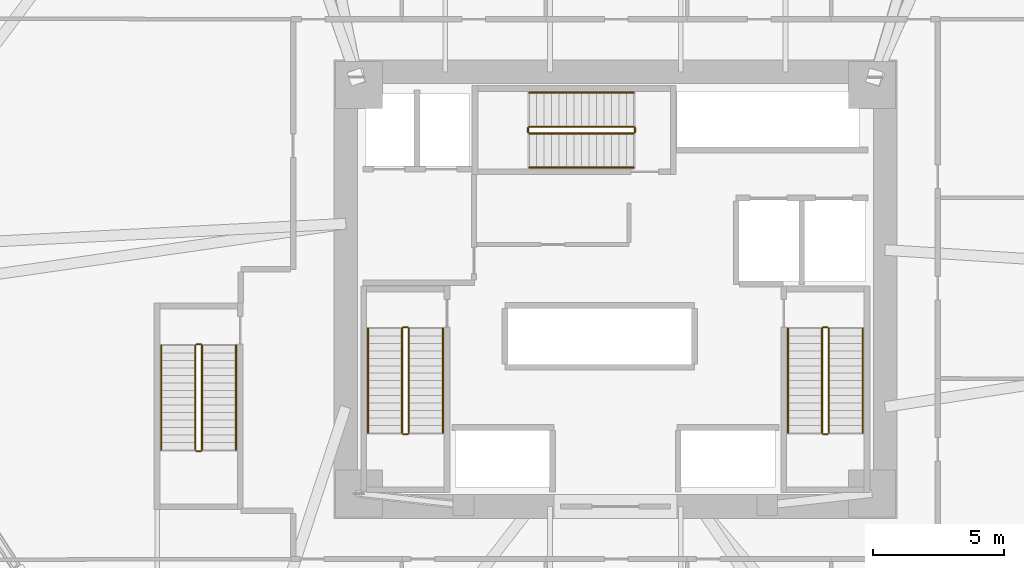
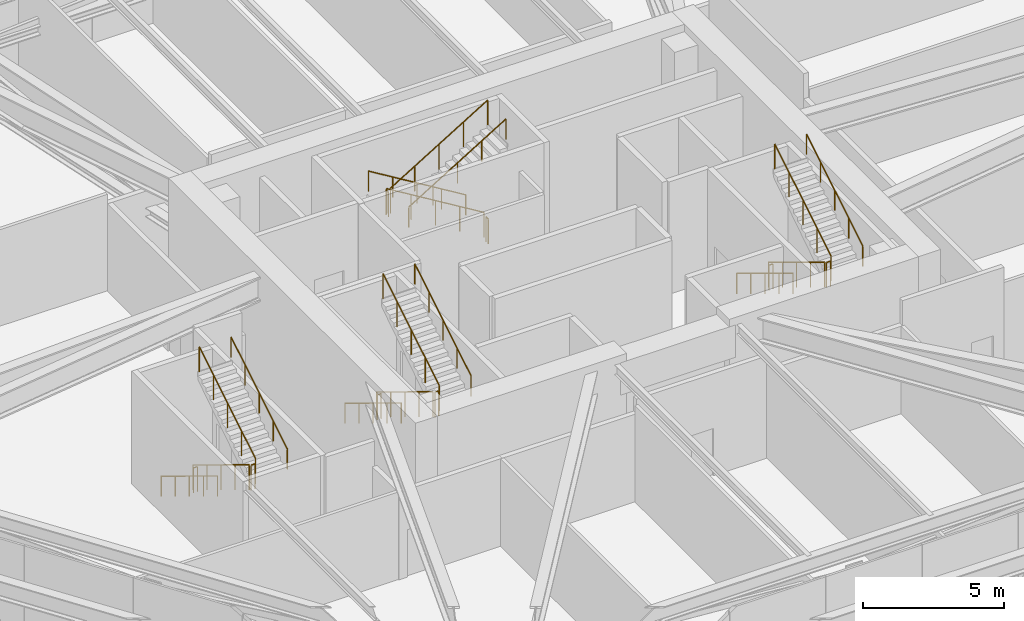
# One storey, part 16 of 16: 24 railings.
"""IFC4 building model written with IfcOpenShell, lengths in metres."""

import ifcopenshell
import ifcopenshell.guid

model = None  # the IFC model being written
_history = None  # IfcOwnerHistory: only IFC2X3 demands one
_inside = {}  # id of a spatial element -> (the spatial element, [elements in it])
_under = {}  # id of a project, library or spatial element -> (it, [spatial elements below it])
_declared = {}  # id of a project -> (the project, [libraries it declares])
_typed = {}  # id of a type object -> (the type object, [elements of that type])
_made_of = {}  # id of a material, layer set ... -> (it, [elements and type objects made of it])


def new_model(schema):
    """Start an empty IFC model of exactly this schema.

    Asked for "IFC4X3", IfcOpenShell would pick the latest addendum, in which some entities
    have other attributes; the version numbers below select the first issue.
    IFC2X3 requires an IfcOwnerHistory on every rooted entity: one is made here for all.
    """
    global model, _history
    if schema == "IFC4X3":
        model = ifcopenshell.file(schema_version=(4, 3, 0, 0))
    else:
        model = ifcopenshell.file(schema=schema)
    _inside.clear()
    _under.clear()
    _declared.clear()
    _typed.clear()
    _made_of.clear()
    _history = None
    if model.schema == "IFC2X3":
        org = make("IfcOrganization", Name="unknown")
        user = make(
            "IfcPersonAndOrganization",
            ThePerson=make("IfcPerson", FamilyName="unknown"),
            TheOrganization=org,
        )
        app = make(
            "IfcApplication",
            ApplicationDeveloper=org,
            Version="unknown",
            ApplicationFullName="unknown",
            ApplicationIdentifier="unknown",
        )
        _history = make(
            "IfcOwnerHistory",
            OwningUser=user,
            OwningApplication=app,
            ChangeAction="ADDED",
            CreationDate=0,
        )
    return model


def make(cls, **values):
    """One entity of the class cls with the attributes given. An attribute that is None is left unset."""
    return model.create_entity(
        cls, **{name: value for name, value in values.items() if value is not None}
    )


def rooted(cls, **values):
    """An entity with a GlobalId (a new one), such as an element, a storey or a relation."""
    return make(cls, GlobalId=ifcopenshell.guid.new(), OwnerHistory=_history, **values)


def si_unit(unit_type, name, prefix=None):
    """IfcSIUnit, for example si_unit("LENGTHUNIT", "METRE", prefix="MILLI")."""
    return make("IfcSIUnit", UnitType=unit_type, Prefix=prefix, Name=name)


def assignment(units):
    """IfcUnitAssignment: the units of a project."""
    return None if units is None else make("IfcUnitAssignment", Units=units)


def point(xyz):
    """IfcCartesianPoint."""
    return None if xyz is None else make("IfcCartesianPoint", Coordinates=xyz)


def direction(xyz):
    """IfcDirection."""
    return None if xyz is None else make("IfcDirection", DirectionRatios=xyz)


def frame(location, z_axis=None, x_axis=None):
    """IfcAxis2Placement3D, a coordinate frame: its origin and axes. An axis left out is left unset."""
    return make(
        "IfcAxis2Placement3D",
        Location=point(location),
        Axis=direction(z_axis),
        RefDirection=direction(x_axis),
    )


def frame_2d(location, x_axis=None):
    """IfcAxis2Placement2D, a coordinate frame in the plane: its origin and x axis."""
    return make(
        "IfcAxis2Placement2D", Location=point(location), RefDirection=direction(x_axis)
    )


def origin():
    """The frame at (0, 0, 0) with its axes left unset."""
    return frame((0.0, 0.0, 0.0))


def origin_2d():
    """The frame at (0, 0) in the plane with its x axis left unset."""
    return frame_2d((0.0, 0.0))


def place(relative_to, where):
    """IfcLocalPlacement: puts the frame where relative to a parent placement (None: the world)."""
    return make(
        "IfcLocalPlacement", PlacementRelTo=relative_to, RelativePlacement=where
    )


def context(
    kind, dimensions, precision=None, world=None, true_north=None, identifier=None
):
    """IfcGeometricRepresentationContext, for example the 3D "Model" context."""
    return make(
        "IfcGeometricRepresentationContext",
        ContextIdentifier=identifier,
        ContextType=kind,
        CoordinateSpaceDimension=dimensions,
        Precision=precision,
        WorldCoordinateSystem=world,
        TrueNorth=true_north,
    )


def subcontext(parent, identifier, kind, view, scale=None):
    """IfcGeometricRepresentationSubContext, for example "Body" below "Model"."""
    return make(
        "IfcGeometricRepresentationSubContext",
        ContextIdentifier=identifier,
        ContextType=kind,
        ParentContext=parent,
        TargetScale=scale,
        TargetView=view,
    )


def project(units=None, contexts=None):
    """IfcProject with its units and contexts."""
    return rooted(
        "IfcProject",
        Name="project",
        RepresentationContexts=contexts,
        UnitsInContext=assignment(units),
    )


def spatial(cls, under=None, at=None, **own):
    """A site, building, storey or space (cls), placed at a placement, below another one or the project."""
    s = rooted(cls, ObjectPlacement=at, **own)
    if under is not None:
        _under.setdefault(under.id(), (under, []))[1].append(s)
    return s


def profile(cls, at=None, kind="AREA", **sizes):
    """A parametric profile (cls). Its sizes go by their IFC names, for example OverallWidth=200.0."""
    return make(cls, ProfileType=kind, Position=at, **sizes)


def circle(**sizes):
    """IfcCircleProfileDef."""
    return profile("IfcCircleProfileDef", **sizes)


def extrude(swept, where, along, depth):
    """IfcExtrudedAreaSolid: the profile swept, set in the frame where, extruded along a direction by depth."""
    return make(
        "IfcExtrudedAreaSolid",
        SweptArea=swept,
        Position=where,
        ExtrudedDirection=direction(along),
        Depth=depth,
    )


def shape(context_of_items, identifier, shape_type, items):
    """IfcShapeRepresentation: the items that make up one representation, for example the "Body"."""
    return make(
        "IfcShapeRepresentation",
        ContextOfItems=context_of_items,
        RepresentationIdentifier=identifier,
        RepresentationType=shape_type,
        Items=items,
    )


def material(Name=None, Category=None):
    """IfcMaterial."""
    return make("IfcMaterial", Name=Name, Category=Category)


def made_of(thing, what):
    """Note that an element or type object is made of a material, layer set ...; save() writes the relation."""
    if what is not None:
        _made_of.setdefault(what.id(), (what, []))[1].append(thing)
    return thing


def type_object(cls, material=None, **own):
    """A type object (cls), such as IfcWallType, which elements share."""
    return made_of(rooted(cls, **own), material)


def element(
    cls,
    number,
    at=None,
    inside=None,
    cuts=None,
    type_object=None,
    material=None,
    context=None,
    identifier="Body",
    shape_type=None,
    held_by="IfcProductDefinitionShape",
    body=None,
    shapes=None,
    **own,
):
    """One element of the class cls, such as IfcWall. Its Tag is "e" and its number.

    at: its placement. inside: the storey or other place that contains it. cuts: it is an
    opening in that element (IfcRelVoidsElement). A single representation is given by context,
    identifier, shape_type and body (its items); several are given by shapes. held_by: the class
    of the entity that holds the representations. save() writes the other relations.
    """
    e = rooted(cls, Tag="e%d" % number, ObjectPlacement=at, **own)
    if body is not None:
        shapes = [shape(context, identifier, shape_type, body)]
    if shapes is not None:
        e.Representation = make(held_by, Representations=shapes)
    if inside is not None:
        _inside.setdefault(inside.id(), (inside, []))[1].append(e)
    if cuts is not None:
        rooted(
            "IfcRelVoidsElement", RelatingBuildingElement=cuts, RelatedOpeningElement=e
        )
    if type_object is not None:
        _typed.setdefault(type_object.id(), (type_object, []))[1].append(e)
    return made_of(e, material)


def aggregate(whole, parts):
    """IfcRelAggregates: a whole, such as a stair, and the parts it consists of."""
    return rooted("IfcRelAggregates", RelatingObject=whole, RelatedObjects=parts)


def save(model, path):
    """Write the relations noted so far, then the file.

    IfcRelAggregates (storeys below a building ...), IfcRelContainedInSpatialStructure (elements
    in a storey), IfcRelDefinesByType, IfcRelAssociatesMaterial and IfcRelDeclares: one each for
    every whole, place, type object, material and project.
    """
    for whole, parts in _under.values():
        aggregate(whole, parts)
    for where, things in _inside.values():
        rooted(
            "IfcRelContainedInSpatialStructure",
            RelatedElements=things,
            RelatingStructure=where,
        )
    for kind, things in _typed.values():
        rooted("IfcRelDefinesByType", RelatedObjects=things, RelatingType=kind)
    for what, things in _made_of.values():
        rooted("IfcRelAssociatesMaterial", RelatedObjects=things, RelatingMaterial=what)
    for by, libraries in _declared.values():
        rooted("IfcRelDeclares", RelatingContext=by, RelatedDefinitions=libraries)
    model.write(path)


model = new_model("IFC4")

# Units and contexts
model_context = context("Model", 3, precision=1e-05, world=origin(), true_north=direction((0.0, 1.0)))
body_context = subcontext(model_context, "Body", "Model", "MODEL_VIEW")
ifc_project = project(units=[si_unit("LENGTHUNIT", "METRE"), si_unit("AREAUNIT", "SQUARE_METRE"), si_unit("VOLUMEUNIT", "CUBIC_METRE"), si_unit("PLANEANGLEUNIT", "RADIAN"), si_unit("MASSUNIT", "GRAM", prefix="KILO")], contexts=[model_context])

# Site, building, storey
site_placement = place(None, origin())
site = spatial("IfcSite", under=ifc_project, at=site_placement, CompositionType="ELEMENT")
building_placement = place(site_placement, origin())
building = spatial("IfcBuilding", under=site, at=building_placement, Name="Durnholm Broadcast Tower", CompositionType="ELEMENT")
storey_placement = place(building_placement, frame((0.0, 0.0, 10.39990234375)))
storey = spatial("IfcBuildingStorey", under=building, at=storey_placement, Name="L02", CompositionType="ELEMENT", Elevation=10.39990234375)

# Railings
ifc_material_1 = material(Name="Painted Tubular Steel Stair Guardrail", Category="steel")
railing_type_1 = type_object("IfcRailingType", Name="RAIL-ST-GRD", PredefinedType="GUARDRAIL", material=ifc_material_1)
railing_1_placement = place(storey_placement, frame((-8.14990234375, -1.5, 0.17333984375)))
element("IfcRailing", 1, at=railing_1_placement, inside=storey, type_object=railing_type_1, Name="L02 ST-1 stair guard 1", PredefinedType="GUARDRAIL", context=body_context, shape_type="SweptSolid", body=[
    extrude(circle(Radius=0.02392578125, at=origin_2d()), frame((0.0, 0.0, 1.076171875), z_axis=(0.0, -0.854382233033, 0.519645071061), x_axis=(1.0, 0.0, 0.0)), (0.0, 0.0, 1.0), 4.669921875),
    extrude(circle(Radius=0.02099609375, at=origin_2d()), origin(), (0.0, 0.0, 1.0), 1.052001953125),
    extrude(circle(Radius=0.02099609375, at=origin_2d()), frame((0.0, -0.99755859375, 0.606689453125)), (0.0, 0.0, 1.0), 1.052001953125),
    extrude(circle(Radius=0.02099609375, at=origin_2d()), frame((0.0, -1.9951171875, 1.21337890625)), (0.0, 0.0, 1.0), 1.052001953125),
    extrude(circle(Radius=0.02099609375, at=origin_2d()), frame((0.0, -2.992431640625, 1.820068359375)), (0.0, 0.0, 1.0), 1.052001953125),
    extrude(circle(Radius=0.02099609375, at=origin_2d()), frame((0.0, -3.989990234375, 2.4267578125)), (0.0, 0.0, 1.0), 1.052001953125),
])
railing_2_placement = place(storey_placement, frame((-8.10009765625, -5.5400390625, 2.60009765625)))
element("IfcRailing", 2, at=railing_2_placement, inside=storey, type_object=railing_type_1, Name="L02 ST-1 stair guard 2", PredefinedType="GUARDRAIL", context=body_context, shape_type="SweptSolid", body=[
    extrude(circle(Radius=0.02392578125, at=origin_2d()), frame((0.0, 0.0, 1.076171875), z_axis=(1.0, 0.0, 0.0), x_axis=(0.0, 1.0, 0.0)), (0.0, 0.0, 1.0), 0.16015625),
    extrude(circle(Radius=0.02099609375, at=origin_2d()), origin(), (0.0, 0.0, 1.0), 1.052001953125),
    extrude(circle(Radius=0.02099609375, at=origin_2d()), frame((0.16015625, 0.0, 0.0)), (0.0, 0.0, 1.0), 1.052001953125),
])
railing_3_placement = place(storey_placement, frame((-7.889892578125, -5.489990234375, 2.7734375)))
element("IfcRailing", 3, at=railing_3_placement, inside=storey, type_object=railing_type_1, Name="L02 ST-1 stair guard 3", PredefinedType="GUARDRAIL", context=body_context, shape_type="SweptSolid", body=[
    extrude(circle(Radius=0.02392578125, at=origin_2d()), frame((0.0, 0.0, 1.076171875), z_axis=(0.0, 0.854382233033, 0.519645071061), x_axis=(-1.0, 0.0, 0.0)), (0.0, 0.0, 1.0), 4.669921875),
    extrude(circle(Radius=0.02099609375, at=origin_2d()), origin(), (0.0, 0.0, 1.0), 1.052001953125),
    extrude(circle(Radius=0.02099609375, at=origin_2d()), frame((0.0, 0.99755859375, 0.606689453125)), (0.0, 0.0, 1.0), 1.052001953125),
    extrude(circle(Radius=0.02099609375, at=origin_2d()), frame((0.0, 1.9951171875, 1.21337890625)), (0.0, 0.0, 1.0), 1.052001953125),
    extrude(circle(Radius=0.02099609375, at=origin_2d()), frame((0.0, 2.992431640625, 1.820068359375)), (0.0, 0.0, 1.0), 1.052001953125),
    extrude(circle(Radius=0.02099609375, at=origin_2d()), frame((0.0, 3.989990234375, 2.4267578125)), (0.0, 0.0, 1.0), 1.052001953125),
])
railing_4_placement = place(storey_placement, frame((-8.10009765625, -1.449951171875, 0.0)))
element("IfcRailing", 4, at=railing_4_placement, inside=storey, type_object=railing_type_1, Name="L02 ST-1 stair guard 4", PredefinedType="GUARDRAIL", context=body_context, shape_type="SweptSolid", body=[
    extrude(circle(Radius=0.02392578125, at=origin_2d()), frame((0.0, 0.0, 1.076171875), z_axis=(1.0, 0.0, 0.0), x_axis=(0.0, 1.0, 0.0)), (0.0, 0.0, 1.0), 0.16015625),
    extrude(circle(Radius=0.02099609375, at=origin_2d()), origin(), (0.0, 0.0, 1.0), 1.052001953125),
    extrude(circle(Radius=0.02099609375, at=origin_2d()), frame((0.16015625, 0.0, 0.0)), (0.0, 0.0, 1.0), 1.052001953125),
])
railing_5_placement = place(storey_placement, frame((7.889892578125, -1.5, 0.17333984375)))
element("IfcRailing", 5, at=railing_5_placement, inside=storey, type_object=railing_type_1, Name="L02 ST-2 stair guard 1", PredefinedType="GUARDRAIL", context=body_context, shape_type="SweptSolid", body=[
    extrude(circle(Radius=0.02392578125, at=origin_2d()), frame((0.0, 0.0, 1.076171875), z_axis=(0.0, -0.854382233033, 0.519645071061), x_axis=(1.0, 0.0, 0.0)), (0.0, 0.0, 1.0), 4.669921875),
    extrude(circle(Radius=0.02099609375, at=origin_2d()), origin(), (0.0, 0.0, 1.0), 1.052001953125),
    extrude(circle(Radius=0.02099609375, at=origin_2d()), frame((0.0, -0.99755859375, 0.606689453125)), (0.0, 0.0, 1.0), 1.052001953125),
    extrude(circle(Radius=0.02099609375, at=origin_2d()), frame((0.0, -1.9951171875, 1.21337890625)), (0.0, 0.0, 1.0), 1.052001953125),
    extrude(circle(Radius=0.02099609375, at=origin_2d()), frame((0.0, -2.992431640625, 1.820068359375)), (0.0, 0.0, 1.0), 1.052001953125),
    extrude(circle(Radius=0.02099609375, at=origin_2d()), frame((0.0, -3.989990234375, 2.4267578125)), (0.0, 0.0, 1.0), 1.052001953125),
])
railing_6_placement = place(storey_placement, frame((7.93994140625, -5.5400390625, 2.60009765625)))
element("IfcRailing", 6, at=railing_6_placement, inside=storey, type_object=railing_type_1, Name="L02 ST-2 stair guard 2", PredefinedType="GUARDRAIL", context=body_context, shape_type="SweptSolid", body=[
    extrude(circle(Radius=0.02392578125, at=origin_2d()), frame((0.0, 0.0, 1.076171875), z_axis=(1.0, 0.0, 0.0), x_axis=(0.0, 1.0, 0.0)), (0.0, 0.0, 1.0), 0.16015625),
    extrude(circle(Radius=0.02099609375, at=origin_2d()), origin(), (0.0, 0.0, 1.0), 1.052001953125),
    extrude(circle(Radius=0.02099609375, at=origin_2d()), frame((0.16015625, 0.0, 0.0)), (0.0, 0.0, 1.0), 1.052001953125),
])
railing_7_placement = place(storey_placement, frame((8.14990234375, -5.489990234375, 2.7734375)))
element("IfcRailing", 7, at=railing_7_placement, inside=storey, type_object=railing_type_1, Name="L02 ST-2 stair guard 3", PredefinedType="GUARDRAIL", context=body_context, shape_type="SweptSolid", body=[
    extrude(circle(Radius=0.02392578125, at=origin_2d()), frame((0.0, 0.0, 1.076171875), z_axis=(0.0, 0.854382233033, 0.519645071061), x_axis=(-1.0, 0.0, 0.0)), (0.0, 0.0, 1.0), 4.669921875),
    extrude(circle(Radius=0.02099609375, at=origin_2d()), origin(), (0.0, 0.0, 1.0), 1.052001953125),
    extrude(circle(Radius=0.02099609375, at=origin_2d()), frame((0.0, 0.99755859375, 0.606689453125)), (0.0, 0.0, 1.0), 1.052001953125),
    extrude(circle(Radius=0.02099609375, at=origin_2d()), frame((0.0, 1.9951171875, 1.21337890625)), (0.0, 0.0, 1.0), 1.052001953125),
    extrude(circle(Radius=0.02099609375, at=origin_2d()), frame((0.0, 2.992431640625, 1.820068359375)), (0.0, 0.0, 1.0), 1.052001953125),
    extrude(circle(Radius=0.02099609375, at=origin_2d()), frame((0.0, 3.989990234375, 2.4267578125)), (0.0, 0.0, 1.0), 1.052001953125),
])
railing_8_placement = place(storey_placement, frame((7.93994140625, -1.449951171875, 0.0)))
element("IfcRailing", 8, at=railing_8_placement, inside=storey, type_object=railing_type_1, Name="L02 ST-2 stair guard 4", PredefinedType="GUARDRAIL", context=body_context, shape_type="SweptSolid", body=[
    extrude(circle(Radius=0.02392578125, at=origin_2d()), frame((0.0, 0.0, 1.076171875), z_axis=(1.0, 0.0, 0.0), x_axis=(0.0, 1.0, 0.0)), (0.0, 0.0, 1.0), 0.16015625),
    extrude(circle(Radius=0.02099609375, at=origin_2d()), origin(), (0.0, 0.0, 1.0), 1.052001953125),
    extrude(circle(Radius=0.02099609375, at=origin_2d()), frame((0.16015625, 0.0, 0.0)), (0.0, 0.0, 1.0), 1.052001953125),
])
railing_9_placement = place(storey_placement, frame((0.699951171875, 6.2099609375, 0.17333984375)))
element("IfcRailing", 9, at=railing_9_placement, inside=storey, type_object=railing_type_1, Name="L02 ST-3 stair guard 1", PredefinedType="GUARDRAIL", context=body_context, shape_type="SweptSolid", body=[
    extrude(circle(Radius=0.02392578125, at=origin_2d()), frame((0.0, 0.0, 1.076171875), z_axis=(-0.854382233033, 0.0, 0.519645071061), x_axis=(0.0, -1.0, 0.0)), (0.0, 0.0, 1.0), 4.669921875),
    extrude(circle(Radius=0.02099609375, at=origin_2d()), origin(), (0.0, 0.0, 1.0), 1.052001953125),
    extrude(circle(Radius=0.02099609375, at=origin_2d()), frame((-0.99755859375, 0.0, 0.606689453125)), (0.0, 0.0, 1.0), 1.052001953125),
    extrude(circle(Radius=0.02099609375, at=origin_2d()), frame((-1.9951171875, 0.0, 1.21337890625)), (0.0, 0.0, 1.0), 1.052001953125),
    extrude(circle(Radius=0.02099609375, at=origin_2d()), frame((-2.992431640625, 0.0, 1.820068359375)), (0.0, 0.0, 1.0), 1.052001953125),
    extrude(circle(Radius=0.02099609375, at=origin_2d()), frame((-3.989990234375, 0.0, 2.4267578125)), (0.0, 0.0, 1.0), 1.052001953125),
])
railing_10_placement = place(storey_placement, frame((-3.340087890625, 6.159912109375, 2.60009765625)))
element("IfcRailing", 10, at=railing_10_placement, inside=storey, type_object=railing_type_1, Name="L02 ST-3 stair guard 2", PredefinedType="GUARDRAIL", context=body_context, shape_type="SweptSolid", body=[
    extrude(circle(Radius=0.02392578125, at=origin_2d()), frame((0.0, 0.0, 1.076171875), z_axis=(0.0, -1.0, 0.0), x_axis=(1.0, 0.0, 0.0)), (0.0, 0.0, 1.0), 0.159912109375),
    extrude(circle(Radius=0.02099609375, at=origin_2d()), origin(), (0.0, 0.0, 1.0), 1.052001953125),
    extrude(circle(Radius=0.02099609375, at=origin_2d()), frame((0.0, -0.159912109375, 0.0)), (0.0, 0.0, 1.0), 1.052001953125),
])
railing_11_placement = place(storey_placement, frame((-3.2900390625, 5.949951171875, 2.7734375)))
element("IfcRailing", 11, at=railing_11_placement, inside=storey, type_object=railing_type_1, Name="L02 ST-3 stair guard 3", PredefinedType="GUARDRAIL", context=body_context, shape_type="SweptSolid", body=[
    extrude(circle(Radius=0.02392578125, at=origin_2d()), frame((0.0, 0.0, 1.076171875), z_axis=(0.854382233033, 0.0, 0.519645071061), x_axis=(0.0, 1.0, 0.0)), (0.0, 0.0, 1.0), 4.669921875),
    extrude(circle(Radius=0.02099609375, at=origin_2d()), origin(), (0.0, 0.0, 1.0), 1.052001953125),
    extrude(circle(Radius=0.02099609375, at=origin_2d()), frame((0.99755859375, 0.0, 0.606689453125)), (0.0, 0.0, 1.0), 1.052001953125),
    extrude(circle(Radius=0.02099609375, at=origin_2d()), frame((1.9951171875, 0.0, 1.21337890625)), (0.0, 0.0, 1.0), 1.052001953125),
    extrude(circle(Radius=0.02099609375, at=origin_2d()), frame((2.992431640625, 0.0, 1.820068359375)), (0.0, 0.0, 1.0), 1.052001953125),
    extrude(circle(Radius=0.02099609375, at=origin_2d()), frame((3.989990234375, 0.0, 2.4267578125)), (0.0, 0.0, 1.0), 1.052001953125),
])
railing_12_placement = place(storey_placement, frame((0.75, 6.159912109375, 0.0)))
element("IfcRailing", 12, at=railing_12_placement, inside=storey, type_object=railing_type_1, Name="L02 ST-3 stair guard 4", PredefinedType="GUARDRAIL", context=body_context, shape_type="SweptSolid", body=[
    extrude(circle(Radius=0.02392578125, at=origin_2d()), frame((0.0, 0.0, 1.076171875), z_axis=(0.0, -1.0, 0.0), x_axis=(1.0, 0.0, 0.0)), (0.0, 0.0, 1.0), 0.159912109375),
    extrude(circle(Radius=0.02099609375, at=origin_2d()), origin(), (0.0, 0.0, 1.0), 1.052001953125),
    extrude(circle(Radius=0.02099609375, at=origin_2d()), frame((0.0, -0.159912109375, 0.0)), (0.0, 0.0, 1.0), 1.052001953125),
])
railing_13_placement = place(storey_placement, frame((-16.050048828125, -2.14990234375, 0.17333984375)))
element("IfcRailing", 13, at=railing_13_placement, inside=storey, type_object=railing_type_1, Name="L02 ST-4 stair guard 1", PredefinedType="GUARDRAIL", context=body_context, shape_type="SweptSolid", body=[
    extrude(circle(Radius=0.02392578125, at=origin_2d()), frame((0.0, 0.0, 1.076171875), z_axis=(0.0, -0.854382233033, 0.519645071061), x_axis=(1.0, 0.0, 0.0)), (0.0, 0.0, 1.0), 4.669921875),
    extrude(circle(Radius=0.02099609375, at=origin_2d()), origin(), (0.0, 0.0, 1.0), 1.052001953125),
    extrude(circle(Radius=0.02099609375, at=origin_2d()), frame((0.0, -0.99755859375, 0.606689453125)), (0.0, 0.0, 1.0), 1.052001953125),
    extrude(circle(Radius=0.02099609375, at=origin_2d()), frame((0.0, -1.9951171875, 1.21337890625)), (0.0, 0.0, 1.0), 1.052001953125),
    extrude(circle(Radius=0.02099609375, at=origin_2d()), frame((0.0, -2.992431640625, 1.820068359375)), (0.0, 0.0, 1.0), 1.052001953125),
    extrude(circle(Radius=0.02099609375, at=origin_2d()), frame((0.0, -3.989990234375, 2.4267578125)), (0.0, 0.0, 1.0), 1.052001953125),
])
railing_14_placement = place(storey_placement, frame((-16.0, -6.18994140625, 2.60009765625)))
element("IfcRailing", 14, at=railing_14_placement, inside=storey, type_object=railing_type_1, Name="L02 ST-4 stair guard 2", PredefinedType="GUARDRAIL", context=body_context, shape_type="SweptSolid", body=[
    extrude(circle(Radius=0.02392578125, at=origin_2d()), frame((0.0, 0.0, 1.076171875), z_axis=(1.0, 0.0, 0.0), x_axis=(0.0, 1.0, 0.0)), (0.0, 0.0, 1.0), 0.159912109375),
    extrude(circle(Radius=0.02099609375, at=origin_2d()), origin(), (0.0, 0.0, 1.0), 1.052001953125),
    extrude(circle(Radius=0.02099609375, at=origin_2d()), frame((0.159912109375, 0.0, 0.0)), (0.0, 0.0, 1.0), 1.052001953125),
])
railing_15_placement = place(storey_placement, frame((-15.7900390625, -6.139892578125, 2.7734375)))
element("IfcRailing", 15, at=railing_15_placement, inside=storey, type_object=railing_type_1, Name="L02 ST-4 stair guard 3", PredefinedType="GUARDRAIL", context=body_context, shape_type="SweptSolid", body=[
    extrude(circle(Radius=0.02392578125, at=origin_2d()), frame((0.0, 0.0, 1.076171875), z_axis=(0.0, 0.854382233033, 0.519645071061), x_axis=(-1.0, 0.0, 0.0)), (0.0, 0.0, 1.0), 4.669921875),
    extrude(circle(Radius=0.02099609375, at=origin_2d()), origin(), (0.0, 0.0, 1.0), 1.052001953125),
    extrude(circle(Radius=0.02099609375, at=origin_2d()), frame((0.0, 0.99755859375, 0.606689453125)), (0.0, 0.0, 1.0), 1.052001953125),
    extrude(circle(Radius=0.02099609375, at=origin_2d()), frame((0.0, 1.9951171875, 1.21337890625)), (0.0, 0.0, 1.0), 1.052001953125),
    extrude(circle(Radius=0.02099609375, at=origin_2d()), frame((0.0, 2.992431640625, 1.820068359375)), (0.0, 0.0, 1.0), 1.052001953125),
    extrude(circle(Radius=0.02099609375, at=origin_2d()), frame((0.0, 3.989990234375, 2.4267578125)), (0.0, 0.0, 1.0), 1.052001953125),
])
railing_16_placement = place(storey_placement, frame((-16.0, -2.10009765625, 0.0)))
element("IfcRailing", 16, at=railing_16_placement, inside=storey, type_object=railing_type_1, Name="L02 ST-4 stair guard 4", PredefinedType="GUARDRAIL", context=body_context, shape_type="SweptSolid", body=[
    extrude(circle(Radius=0.02392578125, at=origin_2d()), frame((0.0, 0.0, 1.076171875), z_axis=(1.0, 0.0, 0.0), x_axis=(0.0, 1.0, 0.0)), (0.0, 0.0, 1.0), 0.159912109375),
    extrude(circle(Radius=0.02099609375, at=origin_2d()), origin(), (0.0, 0.0, 1.0), 1.052001953125),
    extrude(circle(Radius=0.02099609375, at=origin_2d()), frame((0.159912109375, 0.0, 0.0)), (0.0, 0.0, 1.0), 1.052001953125),
])
ifc_material_2 = material(Name="Brushed Stainless Steel Handrail", Category="steel")
railing_type_2 = type_object("IfcRailingType", Name="RAIL-ST-HND", PredefinedType="HANDRAIL", material=ifc_material_2)
railing_17_placement = place(storey_placement, frame((-9.449951171875, -1.5, 0.3466796875)))
element("IfcRailing", 17, at=railing_17_placement, inside=storey, type_object=railing_type_2, Name="L02 ST-1 stair handrail 1", PredefinedType="HANDRAIL", context=body_context, shape_type="SweptSolid", body=[
    extrude(circle(Radius=0.02392578125, at=origin_2d()), frame((0.0, 0.0, 0.8759765625), z_axis=(0.0, -0.854382233033, 0.519645071061), x_axis=(1.0, 0.0, 0.0)), (0.0, 0.0, 1.0), 4.669921875),
    extrude(circle(Radius=0.02099609375, at=origin_2d()), origin(), (0.0, 0.0, 1.0), 0.851806640625),
    extrude(circle(Radius=0.02099609375, at=origin_2d()), frame((0.0, -0.99755859375, 0.606689453125)), (0.0, 0.0, 1.0), 0.851806640625),
    extrude(circle(Radius=0.02099609375, at=origin_2d()), frame((0.0, -1.9951171875, 1.21337890625)), (0.0, 0.0, 1.0), 0.851806640625),
    extrude(circle(Radius=0.02099609375, at=origin_2d()), frame((0.0, -2.992431640625, 1.820068359375)), (0.0, 0.0, 1.0), 0.851806640625),
    extrude(circle(Radius=0.02099609375, at=origin_2d()), frame((0.0, -3.989990234375, 2.4267578125)), (0.0, 0.0, 1.0), 0.851806640625),
])
railing_18_placement = place(storey_placement, frame((-6.590087890625, -5.489990234375, 2.94677734375)))
element("IfcRailing", 18, at=railing_18_placement, inside=storey, type_object=railing_type_2, Name="L02 ST-1 stair handrail 2", PredefinedType="HANDRAIL", context=body_context, shape_type="SweptSolid", body=[
    extrude(circle(Radius=0.02392578125, at=origin_2d()), frame((0.0, 0.0, 0.8759765625), z_axis=(0.0, 0.854382233033, 0.519645071061), x_axis=(-1.0, 0.0, 0.0)), (0.0, 0.0, 1.0), 4.669921875),
    extrude(circle(Radius=0.02099609375, at=origin_2d()), origin(), (0.0, 0.0, 1.0), 0.851806640625),
    extrude(circle(Radius=0.02099609375, at=origin_2d()), frame((0.0, 0.99755859375, 0.606689453125)), (0.0, 0.0, 1.0), 0.851806640625),
    extrude(circle(Radius=0.02099609375, at=origin_2d()), frame((0.0, 1.9951171875, 1.21337890625)), (0.0, 0.0, 1.0), 0.851806640625),
    extrude(circle(Radius=0.02099609375, at=origin_2d()), frame((0.0, 2.992431640625, 1.820068359375)), (0.0, 0.0, 1.0), 0.851806640625),
    extrude(circle(Radius=0.02099609375, at=origin_2d()), frame((0.0, 3.989990234375, 2.4267578125)), (0.0, 0.0, 1.0), 0.851806640625),
])
railing_19_placement = place(storey_placement, frame((6.590087890625, -1.5, 0.3466796875)))
element("IfcRailing", 19, at=railing_19_placement, inside=storey, type_object=railing_type_2, Name="L02 ST-2 stair handrail 1", PredefinedType="HANDRAIL", context=body_context, shape_type="SweptSolid", body=[
    extrude(circle(Radius=0.02392578125, at=origin_2d()), frame((0.0, 0.0, 0.8759765625), z_axis=(0.0, -0.854382233033, 0.519645071061), x_axis=(1.0, 0.0, 0.0)), (0.0, 0.0, 1.0), 4.669921875),
    extrude(circle(Radius=0.02099609375, at=origin_2d()), origin(), (0.0, 0.0, 1.0), 0.851806640625),
    extrude(circle(Radius=0.02099609375, at=origin_2d()), frame((0.0, -0.99755859375, 0.606689453125)), (0.0, 0.0, 1.0), 0.851806640625),
    extrude(circle(Radius=0.02099609375, at=origin_2d()), frame((0.0, -1.9951171875, 1.21337890625)), (0.0, 0.0, 1.0), 0.851806640625),
    extrude(circle(Radius=0.02099609375, at=origin_2d()), frame((0.0, -2.992431640625, 1.820068359375)), (0.0, 0.0, 1.0), 0.851806640625),
    extrude(circle(Radius=0.02099609375, at=origin_2d()), frame((0.0, -3.989990234375, 2.4267578125)), (0.0, 0.0, 1.0), 0.851806640625),
])
railing_20_placement = place(storey_placement, frame((9.449951171875, -5.489990234375, 2.94677734375)))
element("IfcRailing", 20, at=railing_20_placement, inside=storey, type_object=railing_type_2, Name="L02 ST-2 stair handrail 2", PredefinedType="HANDRAIL", context=body_context, shape_type="SweptSolid", body=[
    extrude(circle(Radius=0.02392578125, at=origin_2d()), frame((0.0, 0.0, 0.8759765625), z_axis=(0.0, 0.854382233033, 0.519645071061), x_axis=(-1.0, 0.0, 0.0)), (0.0, 0.0, 1.0), 4.669921875),
    extrude(circle(Radius=0.02099609375, at=origin_2d()), origin(), (0.0, 0.0, 1.0), 0.851806640625),
    extrude(circle(Radius=0.02099609375, at=origin_2d()), frame((0.0, 0.99755859375, 0.606689453125)), (0.0, 0.0, 1.0), 0.851806640625),
    extrude(circle(Radius=0.02099609375, at=origin_2d()), frame((0.0, 1.9951171875, 1.21337890625)), (0.0, 0.0, 1.0), 0.851806640625),
    extrude(circle(Radius=0.02099609375, at=origin_2d()), frame((0.0, 2.992431640625, 1.820068359375)), (0.0, 0.0, 1.0), 0.851806640625),
    extrude(circle(Radius=0.02099609375, at=origin_2d()), frame((0.0, 3.989990234375, 2.4267578125)), (0.0, 0.0, 1.0), 0.851806640625),
])
railing_21_placement = place(storey_placement, frame((0.699951171875, 7.510009765625, 0.3466796875)))
element("IfcRailing", 21, at=railing_21_placement, inside=storey, type_object=railing_type_2, Name="L02 ST-3 stair handrail 1", PredefinedType="HANDRAIL", context=body_context, shape_type="SweptSolid", body=[
    extrude(circle(Radius=0.02392578125, at=origin_2d()), frame((0.0, 0.0, 0.8759765625), z_axis=(-0.854382233033, 0.0, 0.519645071061), x_axis=(0.0, -1.0, 0.0)), (0.0, 0.0, 1.0), 4.669921875),
    extrude(circle(Radius=0.02099609375, at=origin_2d()), origin(), (0.0, 0.0, 1.0), 0.851806640625),
    extrude(circle(Radius=0.02099609375, at=origin_2d()), frame((-0.99755859375, 0.0, 0.606689453125)), (0.0, 0.0, 1.0), 0.851806640625),
    extrude(circle(Radius=0.02099609375, at=origin_2d()), frame((-1.9951171875, 0.0, 1.21337890625)), (0.0, 0.0, 1.0), 0.851806640625),
    extrude(circle(Radius=0.02099609375, at=origin_2d()), frame((-2.992431640625, 0.0, 1.820068359375)), (0.0, 0.0, 1.0), 0.851806640625),
    extrude(circle(Radius=0.02099609375, at=origin_2d()), frame((-3.989990234375, 0.0, 2.4267578125)), (0.0, 0.0, 1.0), 0.851806640625),
])
railing_22_placement = place(storey_placement, frame((-3.2900390625, 4.64990234375, 2.94677734375)))
element("IfcRailing", 22, at=railing_22_placement, inside=storey, type_object=railing_type_2, Name="L02 ST-3 stair handrail 2", PredefinedType="HANDRAIL", context=body_context, shape_type="SweptSolid", body=[
    extrude(circle(Radius=0.02392578125, at=origin_2d()), frame((0.0, 0.0, 0.8759765625), z_axis=(0.854382233033, 0.0, 0.519645071061), x_axis=(0.0, 1.0, 0.0)), (0.0, 0.0, 1.0), 4.669921875),
    extrude(circle(Radius=0.02099609375, at=origin_2d()), origin(), (0.0, 0.0, 1.0), 0.851806640625),
    extrude(circle(Radius=0.02099609375, at=origin_2d()), frame((0.99755859375, 0.0, 0.606689453125)), (0.0, 0.0, 1.0), 0.851806640625),
    extrude(circle(Radius=0.02099609375, at=origin_2d()), frame((1.9951171875, 0.0, 1.21337890625)), (0.0, 0.0, 1.0), 0.851806640625),
    extrude(circle(Radius=0.02099609375, at=origin_2d()), frame((2.992431640625, 0.0, 1.820068359375)), (0.0, 0.0, 1.0), 0.851806640625),
    extrude(circle(Radius=0.02099609375, at=origin_2d()), frame((3.989990234375, 0.0, 2.4267578125)), (0.0, 0.0, 1.0), 0.851806640625),
])
railing_23_placement = place(storey_placement, frame((-17.35009765625, -2.14990234375, 0.3466796875)))
element("IfcRailing", 23, at=railing_23_placement, inside=storey, type_object=railing_type_2, Name="L02 ST-4 stair handrail 1", PredefinedType="HANDRAIL", context=body_context, shape_type="SweptSolid", body=[
    extrude(circle(Radius=0.02392578125, at=origin_2d()), frame((0.0, 0.0, 0.8759765625), z_axis=(0.0, -0.854382233033, 0.519645071061), x_axis=(1.0, 0.0, 0.0)), (0.0, 0.0, 1.0), 4.669921875),
    extrude(circle(Radius=0.02099609375, at=origin_2d()), origin(), (0.0, 0.0, 1.0), 0.851806640625),
    extrude(circle(Radius=0.02099609375, at=origin_2d()), frame((0.0, -0.99755859375, 0.606689453125)), (0.0, 0.0, 1.0), 0.851806640625),
    extrude(circle(Radius=0.02099609375, at=origin_2d()), frame((0.0, -1.9951171875, 1.21337890625)), (0.0, 0.0, 1.0), 0.851806640625),
    extrude(circle(Radius=0.02099609375, at=origin_2d()), frame((0.0, -2.992431640625, 1.820068359375)), (0.0, 0.0, 1.0), 0.851806640625),
    extrude(circle(Radius=0.02099609375, at=origin_2d()), frame((0.0, -3.989990234375, 2.4267578125)), (0.0, 0.0, 1.0), 0.851806640625),
])
railing_24_placement = place(storey_placement, frame((-14.489990234375, -6.139892578125, 2.94677734375)))
element("IfcRailing", 24, at=railing_24_placement, inside=storey, type_object=railing_type_2, Name="L02 ST-4 stair handrail 2", PredefinedType="HANDRAIL", context=body_context, shape_type="SweptSolid", body=[
    extrude(circle(Radius=0.02392578125, at=origin_2d()), frame((0.0, 0.0, 0.8759765625), z_axis=(0.0, 0.854382233033, 0.519645071061), x_axis=(-1.0, 0.0, 0.0)), (0.0, 0.0, 1.0), 4.669921875),
    extrude(circle(Radius=0.02099609375, at=origin_2d()), origin(), (0.0, 0.0, 1.0), 0.851806640625),
    extrude(circle(Radius=0.02099609375, at=origin_2d()), frame((0.0, 0.99755859375, 0.606689453125)), (0.0, 0.0, 1.0), 0.851806640625),
    extrude(circle(Radius=0.02099609375, at=origin_2d()), frame((0.0, 1.9951171875, 1.21337890625)), (0.0, 0.0, 1.0), 0.851806640625),
    extrude(circle(Radius=0.02099609375, at=origin_2d()), frame((0.0, 2.992431640625, 1.820068359375)), (0.0, 0.0, 1.0), 0.851806640625),
    extrude(circle(Radius=0.02099609375, at=origin_2d()), frame((0.0, 3.989990234375, 2.4267578125)), (0.0, 0.0, 1.0), 0.851806640625),
])

save(model, "model.ifc")
